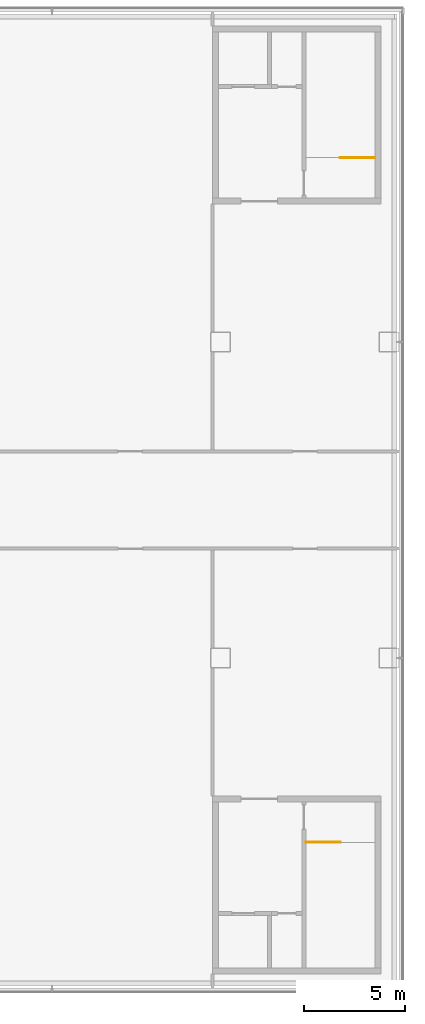
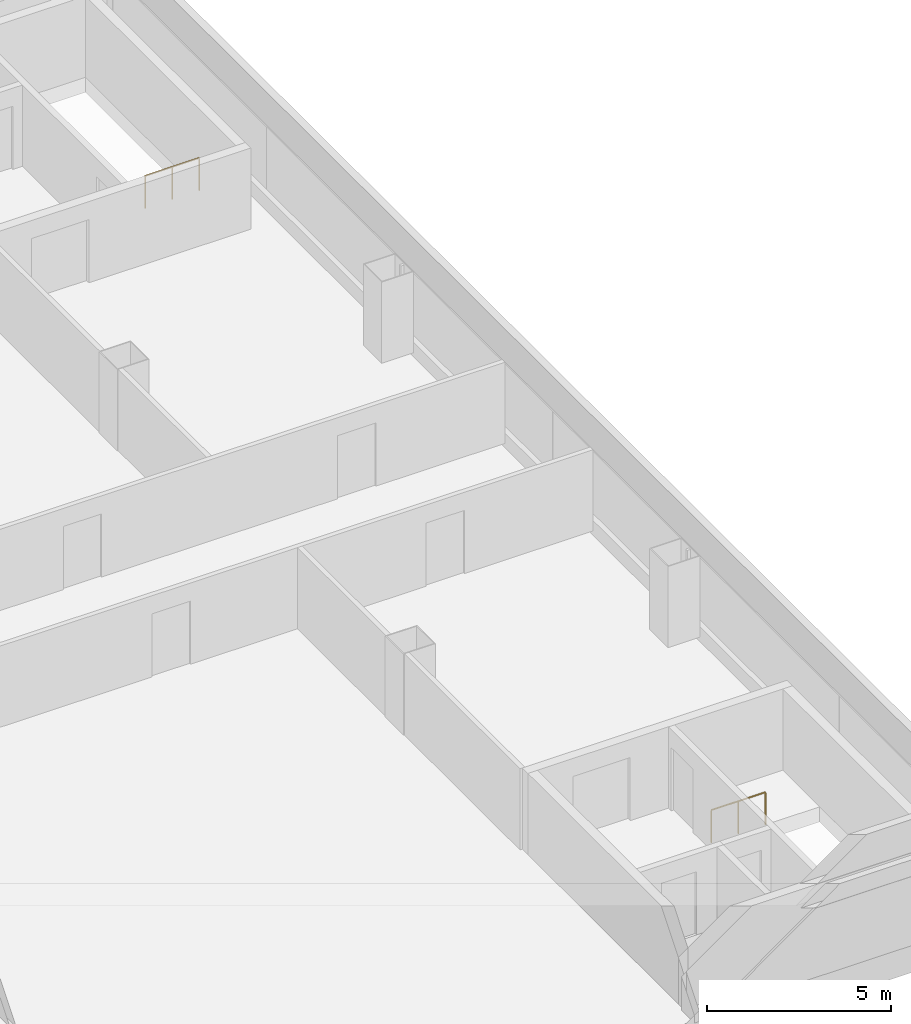
# One storey, part 42 of 42: 2 railings.
"""IFC4 building model written with IfcOpenShell, lengths in metres."""

from ifc_helpers import new_model, si_unit, direction, frame, origin, origin_2d, place, context, subcontext, project, spatial, circle, extrude, material, type_object, element, save


model = new_model("IFC4")

# Units and contexts
model_context = context("Model", 3, precision=1e-05, world=origin(), true_north=direction((0.0, 1.0)))
body_context = subcontext(model_context, "Body", "Model", "MODEL_VIEW")
ifc_project = project(units=[si_unit("LENGTHUNIT", "METRE"), si_unit("AREAUNIT", "SQUARE_METRE"), si_unit("VOLUMEUNIT", "CUBIC_METRE"), si_unit("PLANEANGLEUNIT", "RADIAN"), si_unit("MASSUNIT", "GRAM", prefix="KILO")], contexts=[model_context])

# Site, building, storey
site_placement = place(None, origin())
site = spatial("IfcSite", under=ifc_project, at=site_placement, CompositionType="ELEMENT")
building_placement = place(site_placement, origin())
building = spatial("IfcBuilding", under=site, at=building_placement, Name="Hakoniwa Tower and Hamabe Station Hall", CompositionType="ELEMENT")
storey_placement = place(building_placement, frame((0.0, 0.0, 19.800048828125)))
storey = spatial("IfcBuildingStorey", under=building, at=storey_placement, Name="L04", CompositionType="ELEMENT", Elevation=19.800048828125)

# Railings
ifc_material = material(Name="Stainless steel and glass", Category="steel")
railing_type = type_object("IfcRailingType", Name="GUARD 1100", PredefinedType="GUARDRAIL", material=ifc_material)
railing_1_placement = place(storey_placement, frame((168.449951171875, 16.89990234375, 0.0)))
element("IfcRailing", 1, at=railing_1_placement, inside=storey, type_object=railing_type, Name="Guard stair well SC2 L04", PredefinedType="GUARDRAIL", context=body_context, shape_type="SweptSolid", body=[
    extrude(circle(Radius=0.02392578125, at=origin_2d()), frame((0.0, 0.0, 1.076171875), z_axis=(-1.0, 0.0, 0.0), x_axis=(0.0, -1.0, 0.0)), (0.0, 0.0, 1.0), 1.699951171875),
    extrude(circle(Radius=0.02099609375, at=origin_2d()), origin(), (0.0, 0.0, 1.0), 1.052001953125),
    extrude(circle(Radius=0.02099609375, at=origin_2d()), frame((-0.85009765625, 0.0, 0.0)), (0.0, 0.0, 1.0), 1.052001953125),
    extrude(circle(Radius=0.02099609375, at=origin_2d()), frame((-1.699951171875, 0.0, 0.0)), (0.0, 0.0, 1.0), 1.052001953125),
])
railing_2_placement = place(storey_placement, frame((165.050048828125, -16.89990234375, 0.0)))
element("IfcRailing", 2, at=railing_2_placement, inside=storey, type_object=railing_type, Name="Guard stair well SC4 L04", PredefinedType="GUARDRAIL", context=body_context, shape_type="SweptSolid", body=[
    extrude(circle(Radius=0.02392578125, at=origin_2d()), frame((0.0, 0.0, 1.076171875), z_axis=(1.0, 0.0, 0.0), x_axis=(0.0, 1.0, 0.0)), (0.0, 0.0, 1.0), 1.699951171875),
    extrude(circle(Radius=0.02099609375, at=origin_2d()), origin(), (0.0, 0.0, 1.0), 1.052001953125),
    extrude(circle(Radius=0.02099609375, at=origin_2d()), frame((0.85009765625, 0.0, 0.0)), (0.0, 0.0, 1.0), 1.052001953125),
    extrude(circle(Radius=0.02099609375, at=origin_2d()), frame((1.699951171875, 0.0, 0.0)), (0.0, 0.0, 1.0), 1.052001953125),
])

save(model, "model.ifc")
